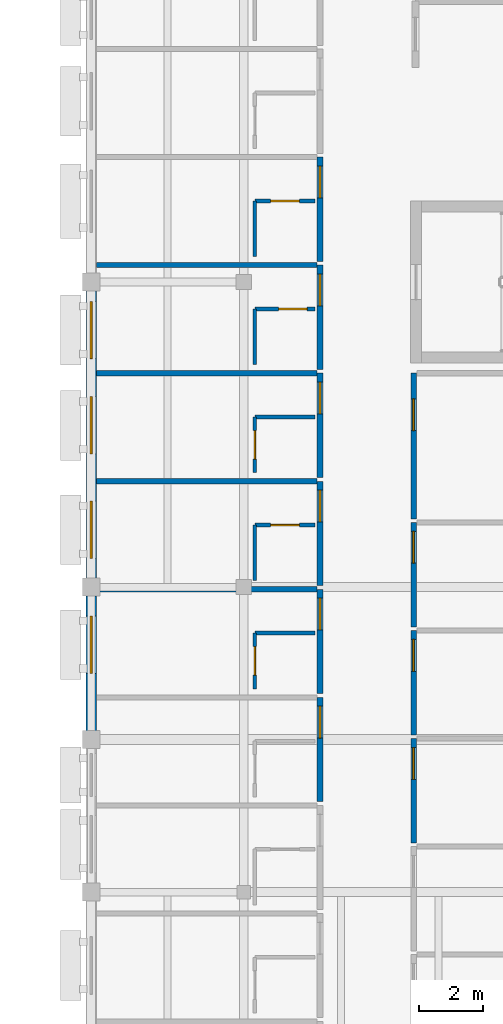
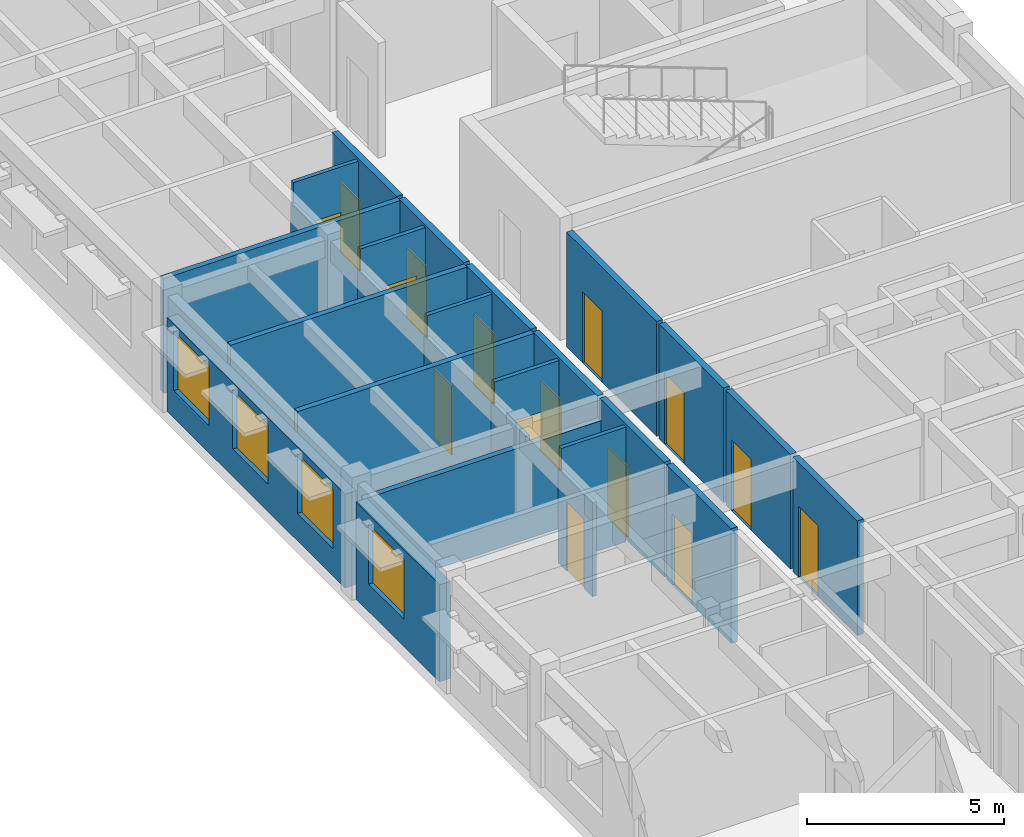
# One storey, part 27 of 40: 26 walls, 15 doors, 4 windows, 19 openings.
"""IFC4 building model written with IfcOpenShell, lengths in metres."""

from ifc_helpers import new_model, si_unit, direction, frame, frame_2d, origin, place, context, subcontext, project, spatial, rectangle, extrude, material, layer, layer_set, type_object, element, fill, save


model = new_model("IFC4")

# Units and contexts
model_context = context("Model", 3, precision=1e-05, world=origin(), true_north=direction((0.0, 1.0)))
body_context = subcontext(model_context, "Body", "Model", "MODEL_VIEW")
ifc_project = project(units=[si_unit("LENGTHUNIT", "METRE"), si_unit("AREAUNIT", "SQUARE_METRE"), si_unit("VOLUMEUNIT", "CUBIC_METRE"), si_unit("PLANEANGLEUNIT", "RADIAN"), si_unit("MASSUNIT", "GRAM", prefix="KILO")], contexts=[model_context])

# Site, building, storey
site_placement = place(None, origin())
site = spatial("IfcSite", under=ifc_project, at=site_placement, CompositionType="ELEMENT")
building_placement = place(site_placement, origin())
building = spatial("IfcBuilding", under=site, at=building_placement, Name="Veldera Park Congress Hotel", CompositionType="ELEMENT")
storey_placement = place(building_placement, frame((0.0, 0.0, 16.199951171875)))
storey = spatial("IfcBuildingStorey", under=building, at=storey_placement, Name="L03", CompositionType="ELEMENT", Elevation=16.199951171875)

# Wall, openings, windows
ifc_material_1 = material(Name="Cross-laminated timber CLT V2M1.1", Category="wood")
ifc_layer_1 = layer(ifc_material_1, 0.320068359375)
ifc_layer_set_1 = layer_set([ifc_layer_1], Name="Cross-laminated timber CLT V2M1.1")
wall_type_1 = type_object("IfcWallType", Name="EW-CLT320", PredefinedType="STANDARD", material=ifc_layer_set_1)
wall_1_placement = place(storey_placement, frame((60.800048828125, -9.278076171875, 0.0), z_axis=(0.0, 0.0, 1.0), x_axis=(0.0, -1.0, 0.0)))
wall_1 = element("IfcWall", 1, at=wall_1_placement, inside=storey, type_object=wall_type_1, Name="L03 Exterior Wall EW3-L03-0237", PredefinedType="STANDARD", context=body_context, shape_type="SweptSolid", body=[
    extrude(rectangle(XDim=9.0439453125, YDim=0.320068359375, at=frame_2d((4.52197265625, 0.0))), origin(), (0.0, 0.0, 1.0), 2.9150390625),
])
opening_1_placement = place(wall_1_placement, frame((6.617919921875, 0.0, 0.85009765625)))
opening_1 = element("IfcOpeningElement", 2, at=opening_1_placement, cuts=wall_1, Name="Opening WIN-1800", PredefinedType="OPENING", context=body_context, shape_type="SweptSolid", body=[
    extrude(rectangle(XDim=1.800048828125, YDim=1.85009765625, at=frame_2d((0.89990234375, 0.925048828125))), frame((0.0, 0.172119140625, 0.0), z_axis=(0.0, -1.0, 0.0), x_axis=(1.0, 0.0, 0.0)), (0.0, 0.0, 1.0), 0.343994140625),
])
opening_2_placement = place(wall_1_placement, frame((3.33203125, 0.0, 0.85009765625)))
opening_2 = element("IfcOpeningElement", 3, at=opening_2_placement, cuts=wall_1, Name="Opening WIN-1800", PredefinedType="OPENING", context=body_context, shape_type="SweptSolid", body=[
    extrude(rectangle(XDim=1.800048828125, YDim=1.85009765625, at=frame_2d((0.89990234375, 0.925048828125))), frame((0.0, 0.172119140625, 0.0), z_axis=(0.0, -1.0, 0.0), x_axis=(1.0, 0.0, 0.0)), (0.0, 0.0, 1.0), 0.343994140625),
])
opening_3_placement = place(wall_1_placement, frame((0.3359375, 0.0, 0.85009765625)))
opening_3 = element("IfcOpeningElement", 4, at=opening_3_placement, cuts=wall_1, Name="Opening WIN-1800", PredefinedType="OPENING", context=body_context, shape_type="SweptSolid", body=[
    extrude(rectangle(XDim=1.800048828125, YDim=1.85009765625, at=frame_2d((0.89990234375, 0.925048828125))), frame((0.0, 0.172119140625, 0.0), z_axis=(0.0, -1.0, 0.0), x_axis=(1.0, 0.0, 0.0)), (0.0, 0.0, 1.0), 0.343994140625),
])
ifc_material_2 = material(Name="Low-E Triple Insulating Glass Unit (SHGC 0.22)", Category="glass")
window_type = type_object("IfcWindowType", Name="WIN-1800", PartitioningType="SINGLE_PANEL", PredefinedType="WINDOW", material=ifc_material_2)
window_1_placement = place(opening_1_placement, origin())
window_1 = element("IfcWindow", 5, at=window_1_placement, inside=storey, type_object=window_type, Name="L03 Window WIN-1800 405", OverallHeight=1.85009765625, OverallWidth=1.800048828125, PartitioningType="SINGLE_PANEL", PredefinedType="WINDOW", context=body_context, shape_type="SweptSolid", body=[
    extrude(rectangle(XDim=1.800048828125, YDim=1.85009765625, at=frame_2d((0.89990234375, 0.925048828125))), frame((0.0, 0.030029296875, 0.0), z_axis=(0.0, -1.0, 0.0), x_axis=(1.0, 0.0, 0.0)), (0.0, 0.0, 1.0), 0.06005859375),
])
fill(opening_1, window_1)
window_2_placement = place(opening_2_placement, origin())
window_2 = element("IfcWindow", 6, at=window_2_placement, inside=storey, type_object=window_type, Name="L03 Window WIN-1800 406", OverallHeight=1.85009765625, OverallWidth=1.800048828125, PartitioningType="SINGLE_PANEL", PredefinedType="WINDOW", context=body_context, shape_type="SweptSolid", body=[
    extrude(rectangle(XDim=1.800048828125, YDim=1.85009765625, at=frame_2d((0.89990234375, 0.925048828125))), frame((0.0, 0.030029296875, 0.0), z_axis=(0.0, -1.0, 0.0), x_axis=(1.0, 0.0, 0.0)), (0.0, 0.0, 1.0), 0.06005859375),
])
fill(opening_2, window_2)
window_3_placement = place(opening_3_placement, origin())
window_3 = element("IfcWindow", 7, at=window_3_placement, inside=storey, type_object=window_type, Name="L03 Window WIN-1800 407", OverallHeight=1.85009765625, OverallWidth=1.800048828125, PartitioningType="SINGLE_PANEL", PredefinedType="WINDOW", context=body_context, shape_type="SweptSolid", body=[
    extrude(rectangle(XDim=1.800048828125, YDim=1.85009765625, at=frame_2d((0.89990234375, 0.925048828125))), frame((0.0, 0.030029296875, 0.0), z_axis=(0.0, -1.0, 0.0), x_axis=(1.0, 0.0, 0.0)), (0.0, 0.0, 1.0), 0.06005859375),
])
fill(opening_3, window_3)

# Wall, opening, window
wall_2_placement = place(storey_placement, frame((60.800048828125, -18.8779296875, 0.0), z_axis=(0.0, 0.0, 1.0), x_axis=(0.0, -1.0, 0.0)))
wall_2 = element("IfcWall", 8, at=wall_2_placement, inside=storey, type_object=wall_type_1, Name="L03 Exterior Wall EW3-L03-0238", PredefinedType="STANDARD", context=body_context, shape_type="SweptSolid", body=[
    extrude(rectangle(XDim=4.244140625, YDim=0.320068359375, at=frame_2d((2.1220703125, 0.0))), origin(), (0.0, 0.0, 1.0), 3.01513671875),
])
opening_4_placement = place(wall_2_placement, frame((0.635986328125, 0.0, 0.85009765625)))
opening_4 = element("IfcOpeningElement", 9, at=opening_4_placement, cuts=wall_2, Name="Opening WIN-1800", PredefinedType="OPENING", context=body_context, shape_type="SweptSolid", body=[
    extrude(rectangle(XDim=1.800048828125, YDim=1.85009765625, at=frame_2d((0.89990234375, 0.925048828125))), frame((0.0, 0.172119140625, 0.0), z_axis=(0.0, -1.0, 0.0), x_axis=(1.0, 0.0, 0.0)), (0.0, 0.0, 1.0), 0.343994140625),
])
window_4_placement = place(opening_4_placement, origin())
window_4 = element("IfcWindow", 10, at=window_4_placement, inside=storey, type_object=window_type, Name="L03 Window WIN-1800 404", OverallHeight=1.85009765625, OverallWidth=1.800048828125, PartitioningType="SINGLE_PANEL", PredefinedType="WINDOW", context=body_context, shape_type="SweptSolid", body=[
    extrude(rectangle(XDim=1.800048828125, YDim=1.85009765625, at=frame_2d((0.89990234375, 0.925048828125))), frame((0.0, 0.030029296875, 0.0), z_axis=(0.0, -1.0, 0.0), x_axis=(1.0, 0.0, 0.0)), (0.0, 0.0, 1.0), 0.06005859375),
])
fill(opening_4, window_4)

# Wall, opening, door
ifc_material_3 = material(Name="Fire-Rated Gypsum Board on Cold-Formed Steel Studs", Category="steel")
ifc_layer_2 = layer(ifc_material_3, 0.1201171875)
ifc_layer_set_2 = layer_set([ifc_layer_2], Name="Fire-Rated Gypsum Board on Cold-Formed Steel Studs")
wall_type_2 = type_object("IfcWallType", Name="IW-BATH120", PredefinedType="PARTITIONING", material=ifc_layer_set_2)
wall_3_placement = place(storey_placement, frame((65.949951171875, -21.800048828125, 0.0), z_axis=(0.0, 0.0, 1.0), x_axis=(0.0, 1.0, 0.0)))
wall_3 = element("IfcWall", 11, at=wall_3_placement, inside=storey, type_object=wall_type_2, Name="L03 Partition Wall IW3-L03-00610", PredefinedType="PARTITIONING", context=body_context, shape_type="SweptSolid", body=[
    extrude(rectangle(XDim=1.75, YDim=0.1201171875, at=frame_2d((0.875, 0.0))), origin(), (0.0, 0.0, 1.0), 2.9150390625),
])
opening_5_placement = place(wall_3_placement, frame((0.425048828125, 0.0, 0.0)))
opening_5 = element("IfcOpeningElement", 12, at=opening_5_placement, cuts=wall_3, Name="Opening ID-BATH090", PredefinedType="OPENING", context=body_context, shape_type="SweptSolid", body=[
    extrude(rectangle(XDim=0.89990234375, YDim=2.14990234375, at=frame_2d((0.449951171875, 1.074951171875))), frame((0.0, 0.072021484375, 0.0), z_axis=(0.0, -1.0, 0.0), x_axis=(1.0, 0.0, 0.0)), (0.0, 0.0, 1.0), 0.14404296875),
])
ifc_material_4 = material(Name="Solid Core White Oak Architectural Door", Category="wood")
door_type_1 = type_object("IfcDoorType", Name="ID-BATH090", OperationType="NOTDEFINED", PredefinedType="DOOR", material=ifc_material_4)
door_1_placement = place(opening_5_placement, origin())
door_1 = element("IfcDoor", 13, at=door_1_placement, inside=storey, type_object=door_type_1, Name="L03 En-suite 054 Door ID3-L03-0247 (DR3-ID3-L03-0247)", OperationType="SINGLE_SWING_LEFT", OverallHeight=2.14990234375, OverallWidth=0.89990234375, PredefinedType="DOOR", context=body_context, shape_type="SweptSolid", body=[
    extrude(rectangle(XDim=0.89990234375, YDim=2.14990234375, at=frame_2d((0.449951171875, 1.074951171875))), frame((0.0, 0.02490234375, 0.0), z_axis=(0.0, -1.0, 0.0), x_axis=(1.0, 0.0, 0.0)), (0.0, 0.0, 1.0), 0.050048828125),
])
fill(opening_5, door_1)

# Walls
wall_4_placement = place(storey_placement, frame((65.949951171875, -20.050048828125, 0.0), z_axis=(0.0, 0.0, 1.0), x_axis=(1.0, 0.0, 0.0)))
element("IfcWall", 14, at=wall_4_placement, inside=storey, type_object=wall_type_2, Name="L03 Partition Wall IW3-L03-00611", PredefinedType="PARTITIONING", context=body_context, shape_type="SweptSolid", body=[
    extrude(rectangle(XDim=1.900146484375, YDim=0.1201171875, at=frame_2d((0.9501953125, 0.0))), origin(), (0.0, 0.0, 1.0), 3.56005859375),
])
wall_5_placement = place(storey_placement, frame((65.949951171875, -18.39990234375, 0.0), z_axis=(0.0, 0.0, 1.0), x_axis=(0.0, 1.0, 0.0)))
element("IfcWall", 15, at=wall_5_placement, inside=storey, type_object=wall_type_2, Name="L03 Partition Wall IW3-L03-00614", PredefinedType="PARTITIONING", context=body_context, shape_type="SweptSolid", body=[
    extrude(rectangle(XDim=1.75, YDim=0.1201171875, at=frame_2d((0.875, 0.0))), origin(), (0.0, 0.0, 1.0), 2.9150390625),
])

# Wall, opening, door
wall_6_placement = place(storey_placement, frame((65.949951171875, -16.64990234375, 0.0), z_axis=(0.0, 0.0, 1.0), x_axis=(1.0, 0.0, 0.0)))
wall_6 = element("IfcWall", 16, at=wall_6_placement, inside=storey, type_object=wall_type_2, Name="L03 Partition Wall IW3-L03-00615", PredefinedType="PARTITIONING", context=body_context, shape_type="SweptSolid", body=[
    extrude(rectangle(XDim=1.900146484375, YDim=0.1201171875, at=frame_2d((0.9501953125, 0.0))), origin(), (0.0, 0.0, 1.0), 3.56005859375),
])
opening_6_placement = place(wall_6_placement, frame((0.5, 0.0, 0.0)))
opening_6 = element("IfcOpeningElement", 17, at=opening_6_placement, cuts=wall_6, Name="Opening ID-BATH090", PredefinedType="OPENING", context=body_context, shape_type="SweptSolid", body=[
    extrude(rectangle(XDim=0.89990234375, YDim=2.14990234375, at=frame_2d((0.449951171875, 1.074951171875))), frame((0.0, 0.072021484375, 0.0), z_axis=(0.0, -1.0, 0.0), x_axis=(1.0, 0.0, 0.0)), (0.0, 0.0, 1.0), 0.14404296875),
])
door_2_placement = place(opening_6_placement, origin())
door_2 = element("IfcDoor", 18, at=door_2_placement, inside=storey, type_object=door_type_1, Name="L03 En-suite 055 Door ID3-L03-0249 (DR3-ID3-L03-0249)", OperationType="SINGLE_SWING_LEFT", OverallHeight=2.14990234375, OverallWidth=0.89990234375, PredefinedType="DOOR", context=body_context, shape_type="SweptSolid", body=[
    extrude(rectangle(XDim=0.89990234375, YDim=2.14990234375, at=frame_2d((0.449951171875, 1.074951171875))), frame((0.0, 0.02490234375, 0.0), z_axis=(0.0, -1.0, 0.0), x_axis=(1.0, 0.0, 0.0)), (0.0, 0.0, 1.0), 0.050048828125),
])
fill(opening_6, door_2)

wall_7_placement = place(storey_placement, frame((65.949951171875, -15.0, 0.0), z_axis=(0.0, 0.0, 1.0), x_axis=(0.0, 1.0, 0.0)))
wall_7 = element("IfcWall", 19, at=wall_7_placement, inside=storey, type_object=wall_type_2, Name="L03 Partition Wall IW3-L03-00618", PredefinedType="PARTITIONING", context=body_context, shape_type="SweptSolid", body=[
    extrude(rectangle(XDim=1.75, YDim=0.1201171875, at=frame_2d((0.875, 0.0))), origin(), (0.0, 0.0, 1.0), 2.9150390625),
])
opening_7_placement = place(wall_7_placement, frame((0.425048828125, 0.0, 0.0)))
opening_7 = element("IfcOpeningElement", 20, at=opening_7_placement, cuts=wall_7, Name="Opening ID-BATH090", PredefinedType="OPENING", context=body_context, shape_type="SweptSolid", body=[
    extrude(rectangle(XDim=0.89990234375, YDim=2.14990234375, at=frame_2d((0.449951171875, 1.074951171875))), frame((0.0, 0.072021484375, 0.0), z_axis=(0.0, -1.0, 0.0), x_axis=(1.0, 0.0, 0.0)), (0.0, 0.0, 1.0), 0.14404296875),
])
door_3_placement = place(opening_7_placement, origin())
door_3 = element("IfcDoor", 21, at=door_3_placement, inside=storey, type_object=door_type_1, Name="L03 En-suite 056 Door ID3-L03-0251 (DR3-ID3-L03-0251)", OperationType="SINGLE_SWING_LEFT", OverallHeight=2.14990234375, OverallWidth=0.89990234375, PredefinedType="DOOR", context=body_context, shape_type="SweptSolid", body=[
    extrude(rectangle(XDim=0.89990234375, YDim=2.14990234375, at=frame_2d((0.449951171875, 1.074951171875))), frame((0.0, 0.02490234375, 0.0), z_axis=(0.0, -1.0, 0.0), x_axis=(1.0, 0.0, 0.0)), (0.0, 0.0, 1.0), 0.050048828125),
])
fill(opening_7, door_3)

# Walls
wall_8_placement = place(storey_placement, frame((65.949951171875, -13.25, 0.0), z_axis=(0.0, 0.0, 1.0), x_axis=(1.0, 0.0, 0.0)))
element("IfcWall", 22, at=wall_8_placement, inside=storey, type_object=wall_type_2, Name="L03 Partition Wall IW3-L03-00619", PredefinedType="PARTITIONING", context=body_context, shape_type="SweptSolid", body=[
    extrude(rectangle(XDim=1.900146484375, YDim=0.1201171875, at=frame_2d((0.9501953125, 0.0))), origin(), (0.0, 0.0, 1.0), 3.56005859375),
])
wall_9_placement = place(storey_placement, frame((65.949951171875, -11.60009765625, 0.0), z_axis=(0.0, 0.0, 1.0), x_axis=(0.0, 1.0, 0.0)))
element("IfcWall", 23, at=wall_9_placement, inside=storey, type_object=wall_type_2, Name="L03 Partition Wall IW3-L03-00622", PredefinedType="PARTITIONING", context=body_context, shape_type="SweptSolid", body=[
    extrude(rectangle(XDim=1.75, YDim=0.1201171875, at=frame_2d((0.875, 0.0))), origin(), (0.0, 0.0, 1.0), 2.9150390625),
])

# Wall, opening, door
wall_10_placement = place(storey_placement, frame((65.949951171875, -9.85009765625, 0.0), z_axis=(0.0, 0.0, 1.0), x_axis=(1.0, 0.0, 0.0)))
wall_10 = element("IfcWall", 24, at=wall_10_placement, inside=storey, type_object=wall_type_2, Name="L03 Partition Wall IW3-L03-00623", PredefinedType="PARTITIONING", context=body_context, shape_type="SweptSolid", body=[
    extrude(rectangle(XDim=1.900146484375, YDim=0.1201171875, at=frame_2d((0.9501953125, 0.0))), origin(), (0.0, 0.0, 1.0), 3.56005859375),
])
opening_8_placement = place(wall_10_placement, frame((0.7470703125, 0.0, 0.0)))
opening_8 = element("IfcOpeningElement", 25, at=opening_8_placement, cuts=wall_10, Name="Opening ID-BATH090", PredefinedType="OPENING", context=body_context, shape_type="SweptSolid", body=[
    extrude(rectangle(XDim=0.89990234375, YDim=2.14990234375, at=frame_2d((0.449951171875, 1.074951171875))), frame((0.0, 0.072021484375, 0.0), z_axis=(0.0, -1.0, 0.0), x_axis=(1.0, 0.0, 0.0)), (0.0, 0.0, 1.0), 0.14404296875),
])
door_4_placement = place(opening_8_placement, origin())
door_4 = element("IfcDoor", 26, at=door_4_placement, inside=storey, type_object=door_type_1, Name="L03 En-suite 057 Door ID3-L03-0253 (DR3-ID3-L03-0253)", OperationType="SINGLE_SWING_LEFT", OverallHeight=2.14990234375, OverallWidth=0.89990234375, PredefinedType="DOOR", context=body_context, shape_type="SweptSolid", body=[
    extrude(rectangle(XDim=0.89990234375, YDim=2.14990234375, at=frame_2d((0.449951171875, 1.074951171875))), frame((0.0, 0.02490234375, 0.0), z_axis=(0.0, -1.0, 0.0), x_axis=(1.0, 0.0, 0.0)), (0.0, 0.0, 1.0), 0.050048828125),
])
fill(opening_8, door_4)

# Wall
wall_11_placement = place(storey_placement, frame((65.949951171875, -8.199951171875, 0.0), z_axis=(0.0, 0.0, 1.0), x_axis=(0.0, 1.0, 0.0)))
element("IfcWall", 27, at=wall_11_placement, inside=storey, type_object=wall_type_2, Name="L03 Partition Wall IW3-L03-00626", PredefinedType="PARTITIONING", context=body_context, shape_type="SweptSolid", body=[
    extrude(rectangle(XDim=1.75, YDim=0.1201171875, at=frame_2d((0.875, 0.0))), origin(), (0.0, 0.0, 1.0), 2.9150390625),
])

# Wall, opening, door
wall_12_placement = place(storey_placement, frame((65.949951171875, -6.449951171875, 0.0), z_axis=(0.0, 0.0, 1.0), x_axis=(1.0, 0.0, 0.0)))
wall_12 = element("IfcWall", 28, at=wall_12_placement, inside=storey, type_object=wall_type_2, Name="L03 Partition Wall IW3-L03-00627", PredefinedType="PARTITIONING", context=body_context, shape_type="SweptSolid", body=[
    extrude(rectangle(XDim=1.900146484375, YDim=0.1201171875, at=frame_2d((0.9501953125, 0.0))), origin(), (0.0, 0.0, 1.0), 3.56005859375),
])
opening_9_placement = place(wall_12_placement, frame((0.5, 0.0, 0.0)))
opening_9 = element("IfcOpeningElement", 29, at=opening_9_placement, cuts=wall_12, Name="Opening ID-BATH090", PredefinedType="OPENING", context=body_context, shape_type="SweptSolid", body=[
    extrude(rectangle(XDim=0.89990234375, YDim=2.14990234375, at=frame_2d((0.449951171875, 1.074951171875))), frame((0.0, 0.072021484375, 0.0), z_axis=(0.0, -1.0, 0.0), x_axis=(1.0, 0.0, 0.0)), (0.0, 0.0, 1.0), 0.14404296875),
])
door_5_placement = place(opening_9_placement, origin())
door_5 = element("IfcDoor", 30, at=door_5_placement, inside=storey, type_object=door_type_1, Name="L03 En-suite 058 Door ID3-L03-0255 (DR3-ID3-L03-0255)", OperationType="SINGLE_SWING_LEFT", OverallHeight=2.14990234375, OverallWidth=0.89990234375, PredefinedType="DOOR", context=body_context, shape_type="SweptSolid", body=[
    extrude(rectangle(XDim=0.89990234375, YDim=2.14990234375, at=frame_2d((0.449951171875, 1.074951171875))), frame((0.0, 0.02490234375, 0.0), z_axis=(0.0, -1.0, 0.0), x_axis=(1.0, 0.0, 0.0)), (0.0, 0.0, 1.0), 0.050048828125),
])
fill(opening_9, door_5)

ifc_layer_3 = layer(ifc_material_3, 0.179931640625)
ifc_layer_set_3 = layer_set([ifc_layer_3], Name="Fire-Rated Gypsum Board on Cold-Formed Steel Studs")
wall_type_3 = type_object("IfcWallType", Name="IW-CORR180", PredefinedType="PARTITIONING", material=ifc_layer_set_3)
wall_13_placement = place(storey_placement, frame((68.0, -25.35009765625, 0.0), z_axis=(0.0, 0.0, 1.0), x_axis=(0.0, 1.0, 0.0)))
wall_13 = element("IfcWall", 31, at=wall_13_placement, inside=storey, type_object=wall_type_3, Name="L03 Corridor Wall IW3-L03-00604", PredefinedType="PARTITIONING", context=body_context, shape_type="SweptSolid", body=[
    extrude(rectangle(XDim=3.280029296875, YDim=0.179931640625, at=frame_2d((1.64013671875, 0.0))), origin(), (0.0, 0.0, 1.0), 3.56005859375),
])
opening_10_placement = place(wall_13_placement, frame((2.0, 0.0, 0.0)))
opening_10 = element("IfcOpeningElement", 32, at=opening_10_placement, cuts=wall_13, Name="Opening ID-UNIT100", PredefinedType="OPENING", context=body_context, shape_type="SweptSolid", body=[
    extrude(rectangle(XDim=1.0, YDim=2.199951171875, at=frame_2d((0.5, 1.10009765625))), frame((0.0, 0.10205078125, 0.0), z_axis=(0.0, -1.0, 0.0), x_axis=(1.0, 0.0, 0.0)), (0.0, 0.0, 1.0), 0.203857421875),
])
door_type_2 = type_object("IfcDoorType", Name="ID-UNIT100", OperationType="NOTDEFINED", PredefinedType="DOOR", material=ifc_material_4)
door_6_placement = place(opening_10_placement, origin())
door_6 = element("IfcDoor", 33, at=door_6_placement, inside=storey, type_object=door_type_2, Name="L03 Guestroom 053 Entry Door (DR3-UD3-L03-053)", OperationType="SINGLE_SWING_RIGHT", OverallHeight=2.199951171875, OverallWidth=1.0, PredefinedType="DOOR", context=body_context, shape_type="SweptSolid", body=[
    extrude(rectangle(XDim=1.0, YDim=2.199951171875, at=frame_2d((0.5, 1.10009765625))), frame((0.0, 0.02490234375, 0.0), z_axis=(0.0, -1.0, 0.0), x_axis=(1.0, 0.0, 0.0)), (0.0, 0.0, 1.0), 0.050048828125),
])
fill(opening_10, door_6)

wall_14_placement = place(storey_placement, frame((68.0, -21.949951171875, 0.0), z_axis=(0.0, 0.0, 1.0), x_axis=(0.0, 1.0, 0.0)))
wall_14 = element("IfcWall", 34, at=wall_14_placement, inside=storey, type_object=wall_type_3, Name="L03 Corridor Wall IW3-L03-00608", PredefinedType="PARTITIONING", context=body_context, shape_type="SweptSolid", body=[
    extrude(rectangle(XDim=3.280029296875, YDim=0.179931640625, at=frame_2d((1.64013671875, 0.0))), origin(), (0.0, 0.0, 1.0), 3.56005859375),
])
opening_11_placement = place(wall_14_placement, frame((2.0, 0.0, 0.0)))
opening_11 = element("IfcOpeningElement", 35, at=opening_11_placement, cuts=wall_14, Name="Opening ID-UNIT100", PredefinedType="OPENING", context=body_context, shape_type="SweptSolid", body=[
    extrude(rectangle(XDim=1.0, YDim=2.199951171875, at=frame_2d((0.5, 1.10009765625))), frame((0.0, 0.10205078125, 0.0), z_axis=(0.0, -1.0, 0.0), x_axis=(1.0, 0.0, 0.0)), (0.0, 0.0, 1.0), 0.203857421875),
])
door_7_placement = place(opening_11_placement, origin())
door_7 = element("IfcDoor", 36, at=door_7_placement, inside=storey, type_object=door_type_2, Name="L03 Guestroom 054 Entry Door (DR3-UD3-L03-054)", OperationType="SINGLE_SWING_RIGHT", OverallHeight=2.199951171875, OverallWidth=1.0, PredefinedType="DOOR", context=body_context, shape_type="SweptSolid", body=[
    extrude(rectangle(XDim=1.0, YDim=2.199951171875, at=frame_2d((0.5, 1.10009765625))), frame((0.0, 0.02490234375, 0.0), z_axis=(0.0, -1.0, 0.0), x_axis=(1.0, 0.0, 0.0)), (0.0, 0.0, 1.0), 0.050048828125),
])
fill(opening_11, door_7)

wall_15_placement = place(storey_placement, frame((68.0, -18.550048828125, 0.0), z_axis=(0.0, 0.0, 1.0), x_axis=(0.0, 1.0, 0.0)))
wall_15 = element("IfcWall", 37, at=wall_15_placement, inside=storey, type_object=wall_type_3, Name="L03 Corridor Wall IW3-L03-00612", PredefinedType="PARTITIONING", context=body_context, shape_type="SweptSolid", body=[
    extrude(rectangle(XDim=3.280029296875, YDim=0.179931640625, at=frame_2d((1.64013671875, 0.0))), origin(), (0.0, 0.0, 1.0), 3.56005859375),
])
opening_12_placement = place(wall_15_placement, frame((2.0, 0.0, 0.0)))
opening_12 = element("IfcOpeningElement", 38, at=opening_12_placement, cuts=wall_15, Name="Opening ID-UNIT100", PredefinedType="OPENING", context=body_context, shape_type="SweptSolid", body=[
    extrude(rectangle(XDim=1.0, YDim=2.199951171875, at=frame_2d((0.5, 1.10009765625))), frame((0.0, 0.10205078125, 0.0), z_axis=(0.0, -1.0, 0.0), x_axis=(1.0, 0.0, 0.0)), (0.0, 0.0, 1.0), 0.203857421875),
])
door_8_placement = place(opening_12_placement, origin())
door_8 = element("IfcDoor", 39, at=door_8_placement, inside=storey, type_object=door_type_2, Name="L03 Guestroom 055 Entry Door (DR3-UD3-L03-055)", OperationType="SINGLE_SWING_RIGHT", OverallHeight=2.199951171875, OverallWidth=1.0, PredefinedType="DOOR", context=body_context, shape_type="SweptSolid", body=[
    extrude(rectangle(XDim=1.0, YDim=2.199951171875, at=frame_2d((0.5, 1.10009765625))), frame((0.0, 0.02490234375, 0.0), z_axis=(0.0, -1.0, 0.0), x_axis=(1.0, 0.0, 0.0)), (0.0, 0.0, 1.0), 0.050048828125),
])
fill(opening_12, door_8)

wall_16_placement = place(storey_placement, frame((68.0, -15.14990234375, 0.0), z_axis=(0.0, 0.0, 1.0), x_axis=(0.0, 1.0, 0.0)))
wall_16 = element("IfcWall", 40, at=wall_16_placement, inside=storey, type_object=wall_type_3, Name="L03 Corridor Wall IW3-L03-00616", PredefinedType="PARTITIONING", context=body_context, shape_type="SweptSolid", body=[
    extrude(rectangle(XDim=3.27978515625, YDim=0.179931640625, at=frame_2d((1.639892578125, 0.0))), origin(), (0.0, 0.0, 1.0), 3.56005859375),
])
opening_13_placement = place(wall_16_placement, frame((2.0, 0.0, 0.0)))
opening_13 = element("IfcOpeningElement", 41, at=opening_13_placement, cuts=wall_16, Name="Opening ID-UNIT100", PredefinedType="OPENING", context=body_context, shape_type="SweptSolid", body=[
    extrude(rectangle(XDim=1.0, YDim=2.199951171875, at=frame_2d((0.5, 1.10009765625))), frame((0.0, 0.10205078125, 0.0), z_axis=(0.0, -1.0, 0.0), x_axis=(1.0, 0.0, 0.0)), (0.0, 0.0, 1.0), 0.203857421875),
])
door_9_placement = place(opening_13_placement, origin())
door_9 = element("IfcDoor", 42, at=door_9_placement, inside=storey, type_object=door_type_2, Name="L03 Guestroom 056 Entry Door (DR3-UD3-L03-056)", OperationType="SINGLE_SWING_RIGHT", OverallHeight=2.199951171875, OverallWidth=1.0, PredefinedType="DOOR", context=body_context, shape_type="SweptSolid", body=[
    extrude(rectangle(XDim=1.0, YDim=2.199951171875, at=frame_2d((0.5, 1.10009765625))), frame((0.0, 0.02490234375, 0.0), z_axis=(0.0, -1.0, 0.0), x_axis=(1.0, 0.0, 0.0)), (0.0, 0.0, 1.0), 0.050048828125),
])
fill(opening_13, door_9)

wall_17_placement = place(storey_placement, frame((68.0, -11.75, 0.0), z_axis=(0.0, 0.0, 1.0), x_axis=(0.0, 1.0, 0.0)))
wall_17 = element("IfcWall", 43, at=wall_17_placement, inside=storey, type_object=wall_type_3, Name="L03 Corridor Wall IW3-L03-00620", PredefinedType="PARTITIONING", context=body_context, shape_type="SweptSolid", body=[
    extrude(rectangle(XDim=3.280029296875, YDim=0.179931640625, at=frame_2d((1.64013671875, 0.0))), origin(), (0.0, 0.0, 1.0), 3.56005859375),
])
opening_14_placement = place(wall_17_placement, frame((2.0, 0.0, 0.0)))
opening_14 = element("IfcOpeningElement", 44, at=opening_14_placement, cuts=wall_17, Name="Opening ID-UNIT100", PredefinedType="OPENING", context=body_context, shape_type="SweptSolid", body=[
    extrude(rectangle(XDim=1.0, YDim=2.199951171875, at=frame_2d((0.5, 1.10009765625))), frame((0.0, 0.10205078125, 0.0), z_axis=(0.0, -1.0, 0.0), x_axis=(1.0, 0.0, 0.0)), (0.0, 0.0, 1.0), 0.203857421875),
])
door_10_placement = place(opening_14_placement, origin())
door_10 = element("IfcDoor", 45, at=door_10_placement, inside=storey, type_object=door_type_2, Name="L03 Guestroom 057 Entry Door (DR3-UD3-L03-057)", OperationType="SINGLE_SWING_RIGHT", OverallHeight=2.199951171875, OverallWidth=1.0, PredefinedType="DOOR", context=body_context, shape_type="SweptSolid", body=[
    extrude(rectangle(XDim=1.0, YDim=2.199951171875, at=frame_2d((0.5, 1.10009765625))), frame((0.0, 0.02490234375, 0.0), z_axis=(0.0, -1.0, 0.0), x_axis=(1.0, 0.0, 0.0)), (0.0, 0.0, 1.0), 0.050048828125),
])
fill(opening_14, door_10)

wall_18_placement = place(storey_placement, frame((68.0, -8.35009765625, 0.0), z_axis=(0.0, 0.0, 1.0), x_axis=(0.0, 1.0, 0.0)))
wall_18 = element("IfcWall", 46, at=wall_18_placement, inside=storey, type_object=wall_type_3, Name="L03 Corridor Wall IW3-L03-00624", PredefinedType="PARTITIONING", context=body_context, shape_type="SweptSolid", body=[
    extrude(rectangle(XDim=3.280029296875, YDim=0.179931640625, at=frame_2d((1.64013671875, 0.0))), origin(), (0.0, 0.0, 1.0), 3.56005859375),
])
opening_15_placement = place(wall_18_placement, frame((2.0, 0.0, 0.0)))
opening_15 = element("IfcOpeningElement", 47, at=opening_15_placement, cuts=wall_18, Name="Opening ID-UNIT100", PredefinedType="OPENING", context=body_context, shape_type="SweptSolid", body=[
    extrude(rectangle(XDim=1.0, YDim=2.199951171875, at=frame_2d((0.5, 1.10009765625))), frame((0.0, 0.10205078125, 0.0), z_axis=(0.0, -1.0, 0.0), x_axis=(1.0, 0.0, 0.0)), (0.0, 0.0, 1.0), 0.203857421875),
])
door_11_placement = place(opening_15_placement, origin())
door_11 = element("IfcDoor", 48, at=door_11_placement, inside=storey, type_object=door_type_2, Name="L03 Guestroom 058 Entry Door (DR3-UD3-L03-058)", OperationType="SINGLE_SWING_RIGHT", OverallHeight=2.199951171875, OverallWidth=1.0, PredefinedType="DOOR", context=body_context, shape_type="SweptSolid", body=[
    extrude(rectangle(XDim=1.0, YDim=2.199951171875, at=frame_2d((0.5, 1.10009765625))), frame((0.0, 0.02490234375, 0.0), z_axis=(0.0, -1.0, 0.0), x_axis=(1.0, 0.0, 0.0)), (0.0, 0.0, 1.0), 0.050048828125),
])
fill(opening_15, door_11)

wall_19_placement = place(storey_placement, frame((70.949951171875, -23.3701171875, 0.0), z_axis=(0.0, 0.0, 1.0), x_axis=(0.0, -1.0, 0.0)))
wall_19 = element("IfcWall", 49, at=wall_19_placement, inside=storey, type_object=wall_type_3, Name="L03 Corridor Wall IW3-L03-00699", PredefinedType="PARTITIONING", context=body_context, shape_type="SweptSolid", body=[
    extrude(rectangle(XDim=3.27978515625, YDim=0.179931640625, at=frame_2d((1.639892578125, 0.0))), origin(), (0.0, 0.0, 1.0), 3.56005859375),
])
opening_16_placement = place(wall_19_placement, frame((0.280029296875, 0.0, 0.0)))
opening_16 = element("IfcOpeningElement", 50, at=opening_16_placement, cuts=wall_19, Name="Opening ID-UNIT100", PredefinedType="OPENING", context=body_context, shape_type="SweptSolid", body=[
    extrude(rectangle(XDim=1.0, YDim=2.199951171875, at=frame_2d((0.5, 1.10009765625))), frame((0.0, 0.10205078125, 0.0), z_axis=(0.0, -1.0, 0.0), x_axis=(1.0, 0.0, 0.0)), (0.0, 0.0, 1.0), 0.203857421875),
])
door_12_placement = place(opening_16_placement, origin())
door_12 = element("IfcDoor", 51, at=door_12_placement, inside=storey, type_object=door_type_2, Name="L03 Guestroom 075 Entry Door (DR3-UD3-L03-075)", OperationType="SINGLE_SWING_RIGHT", OverallHeight=2.199951171875, OverallWidth=1.0, PredefinedType="DOOR", context=body_context, shape_type="SweptSolid", body=[
    extrude(rectangle(XDim=1.0, YDim=2.199951171875, at=frame_2d((0.5, 1.10009765625))), frame((0.0, 0.02490234375, 0.0), z_axis=(0.0, -1.0, 0.0), x_axis=(1.0, 0.0, 0.0)), (0.0, 0.0, 1.0), 0.050048828125),
])
fill(opening_16, door_12)

wall_20_placement = place(storey_placement, frame((70.949951171875, -19.969970703125, 0.0), z_axis=(0.0, 0.0, 1.0), x_axis=(0.0, -1.0, 0.0)))
wall_20 = element("IfcWall", 52, at=wall_20_placement, inside=storey, type_object=wall_type_3, Name="L03 Corridor Wall IW3-L03-00704", PredefinedType="PARTITIONING", context=body_context, shape_type="SweptSolid", body=[
    extrude(rectangle(XDim=3.280029296875, YDim=0.179931640625, at=frame_2d((1.64013671875, 0.0))), origin(), (0.0, 0.0, 1.0), 3.56005859375),
])
opening_17_placement = place(wall_20_placement, frame((0.280029296875, 0.0, 0.0)))
opening_17 = element("IfcOpeningElement", 53, at=opening_17_placement, cuts=wall_20, Name="Opening ID-UNIT100", PredefinedType="OPENING", context=body_context, shape_type="SweptSolid", body=[
    extrude(rectangle(XDim=1.0, YDim=2.199951171875, at=frame_2d((0.5, 1.10009765625))), frame((0.0, 0.10205078125, 0.0), z_axis=(0.0, -1.0, 0.0), x_axis=(1.0, 0.0, 0.0)), (0.0, 0.0, 1.0), 0.203857421875),
])
door_13_placement = place(opening_17_placement, origin())
door_13 = element("IfcDoor", 54, at=door_13_placement, inside=storey, type_object=door_type_2, Name="L03 Guestroom 076 Entry Door (DR3-UD3-L03-076)", OperationType="SINGLE_SWING_RIGHT", OverallHeight=2.199951171875, OverallWidth=1.0, PredefinedType="DOOR", context=body_context, shape_type="SweptSolid", body=[
    extrude(rectangle(XDim=1.0, YDim=2.199951171875, at=frame_2d((0.5, 1.10009765625))), frame((0.0, 0.02490234375, 0.0), z_axis=(0.0, -1.0, 0.0), x_axis=(1.0, 0.0, 0.0)), (0.0, 0.0, 1.0), 0.050048828125),
])
fill(opening_17, door_13)

wall_21_placement = place(storey_placement, frame((70.949951171875, -16.570068359375, 0.0), z_axis=(0.0, 0.0, 1.0), x_axis=(0.0, -1.0, 0.0)))
wall_21 = element("IfcWall", 55, at=wall_21_placement, inside=storey, type_object=wall_type_3, Name="L03 Corridor Wall IW3-L03-00709", PredefinedType="PARTITIONING", context=body_context, shape_type="SweptSolid", body=[
    extrude(rectangle(XDim=3.280029296875, YDim=0.179931640625, at=frame_2d((1.64013671875, 0.0))), origin(), (0.0, 0.0, 1.0), 3.56005859375),
])
opening_18_placement = place(wall_21_placement, frame((0.280029296875, 0.0, 0.0)))
opening_18 = element("IfcOpeningElement", 56, at=opening_18_placement, cuts=wall_21, Name="Opening ID-UNIT100", PredefinedType="OPENING", context=body_context, shape_type="SweptSolid", body=[
    extrude(rectangle(XDim=1.0, YDim=2.199951171875, at=frame_2d((0.5, 1.10009765625))), frame((0.0, 0.10205078125, 0.0), z_axis=(0.0, -1.0, 0.0), x_axis=(1.0, 0.0, 0.0)), (0.0, 0.0, 1.0), 0.203857421875),
])
door_14_placement = place(opening_18_placement, origin())
door_14 = element("IfcDoor", 57, at=door_14_placement, inside=storey, type_object=door_type_2, Name="L03 Guestroom 077 Entry Door (DR3-UD3-L03-077)", OperationType="SINGLE_SWING_RIGHT", OverallHeight=2.199951171875, OverallWidth=1.0, PredefinedType="DOOR", context=body_context, shape_type="SweptSolid", body=[
    extrude(rectangle(XDim=1.0, YDim=2.199951171875, at=frame_2d((0.5, 1.10009765625))), frame((0.0, 0.02490234375, 0.0), z_axis=(0.0, -1.0, 0.0), x_axis=(1.0, 0.0, 0.0)), (0.0, 0.0, 1.0), 0.050048828125),
])
fill(opening_18, door_14)

wall_22_placement = place(storey_placement, frame((70.949951171875, -11.8701171875, 0.0), z_axis=(0.0, 0.0, 1.0), x_axis=(0.0, -1.0, 0.0)))
wall_22 = element("IfcWall", 58, at=wall_22_placement, inside=storey, type_object=wall_type_3, Name="L03 Corridor Wall IW3-L03-00714", PredefinedType="PARTITIONING", context=body_context, shape_type="SweptSolid", body=[
    extrude(rectangle(XDim=4.579833984375, YDim=0.179931640625, at=frame_2d((2.2900390625, 0.0))), origin(), (0.0, 0.0, 1.0), 3.56005859375),
])
opening_19_placement = place(wall_22_placement, frame((0.81005859375, 0.0, 0.0)))
opening_19 = element("IfcOpeningElement", 59, at=opening_19_placement, cuts=wall_22, Name="Opening ID-UNIT100", PredefinedType="OPENING", context=body_context, shape_type="SweptSolid", body=[
    extrude(rectangle(XDim=1.0, YDim=2.199951171875, at=frame_2d((0.5, 1.10009765625))), frame((0.0, 0.10205078125, 0.0), z_axis=(0.0, -1.0, 0.0), x_axis=(1.0, 0.0, 0.0)), (0.0, 0.0, 1.0), 0.203857421875),
])
door_15_placement = place(opening_19_placement, origin())
door_15 = element("IfcDoor", 60, at=door_15_placement, inside=storey, type_object=door_type_2, Name="L03 Guestroom 078 Entry Door (DR3-UD3-L03-078)", OperationType="SINGLE_SWING_RIGHT", OverallHeight=2.199951171875, OverallWidth=1.0, PredefinedType="DOOR", context=body_context, shape_type="SweptSolid", body=[
    extrude(rectangle(XDim=1.0, YDim=2.199951171875, at=frame_2d((0.5, 1.10009765625))), frame((0.0, 0.02490234375, 0.0), z_axis=(0.0, -1.0, 0.0), x_axis=(1.0, 0.0, 0.0)), (0.0, 0.0, 1.0), 0.050048828125),
])
fill(opening_19, door_15)

# Walls
ifc_layer_4 = layer(ifc_material_1, 0.159912109375)
ifc_layer_set_4 = layer_set([ifc_layer_4], Name="Cross-laminated timber CLT V2M1.1")
wall_type_4 = type_object("IfcWallType", Name="IW-UNIT160", PredefinedType="PARTITIONING", material=ifc_layer_set_4)
wall_23_placement = place(storey_placement, frame((60.9599609375, -18.669921875, 0.0), z_axis=(0.0, 0.0, 1.0), x_axis=(1.0, 0.0, 0.0)))
element("IfcWall", 61, at=wall_23_placement, inside=storey, type_object=wall_type_4, Name="L03 Partition Wall IW3-L03-00609", PredefinedType="PARTITIONING", context=body_context, shape_type="SweptSolid", body=[
    extrude(rectangle(XDim=6.93994140625, YDim=0.159912109375, at=frame_2d((3.469970703125, 0.0))), origin(), (0.0, 0.0, 1.0), 2.9150390625),
])
for number, where, z_axis, x_axis, name in (
    (62, (60.9599609375, -15.27001953125, 0.0), (0.0, 0.0, 1.0), (1.0, 0.0, 0.0), "L03 Partition Wall IW3-L03-00613"),
    (63, (60.9599609375, -11.8701171875, 0.0), (0.0, 0.0, 1.0), (1.0, 0.0, 0.0), "L03 Partition Wall IW3-L03-00617"),
    (64, (60.9599609375, -8.469970703125, 0.0), (0.0, 0.0, 1.0), (1.0, 0.0, 0.0), "L03 Partition Wall IW3-L03-00621"),
):
    element("IfcWall", number, at=place(storey_placement, frame(where, z_axis=z_axis, x_axis=x_axis)), inside=storey, type_object=wall_type_4, Name=name, PredefinedType="PARTITIONING", context=body_context, shape_type="SweptSolid", body=[
        extrude(rectangle(XDim=6.93994140625, YDim=0.159912109375, at=frame_2d((3.469970703125, 0.0))), origin(), (0.0, 0.0, 1.0), 3.56005859375),
    ])

save(model, "model.ifc")
